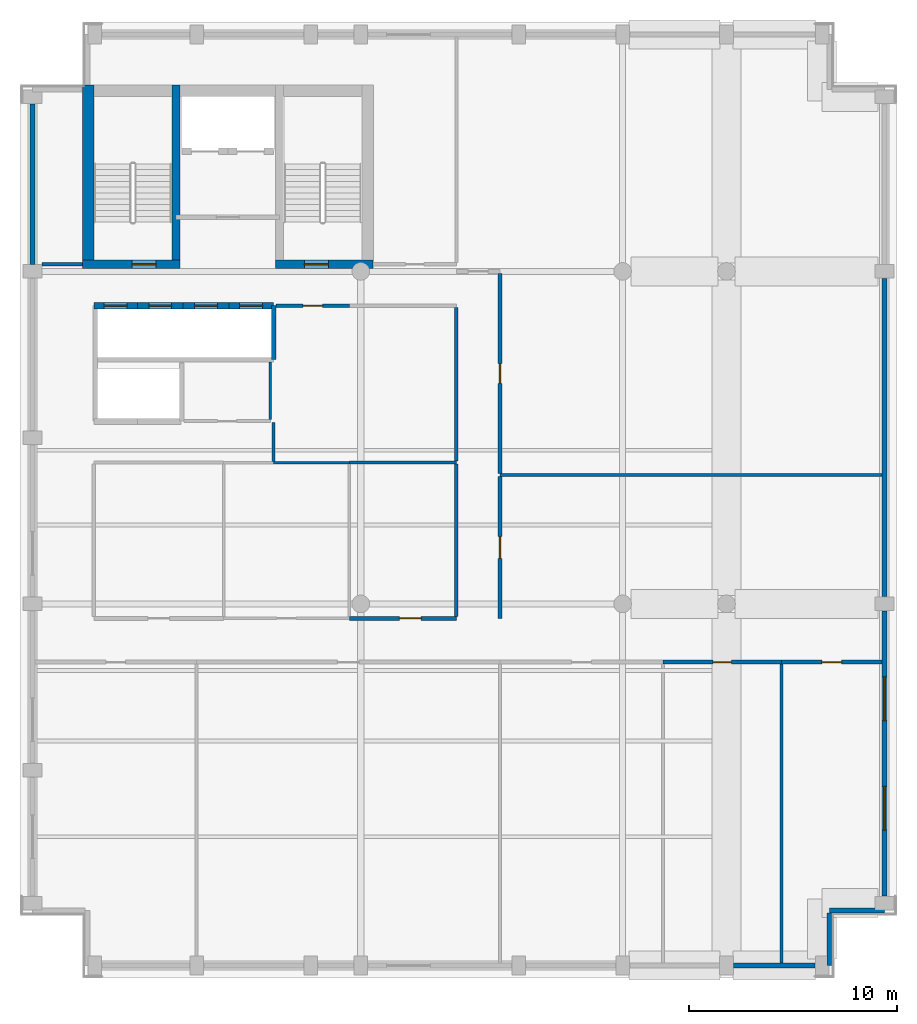
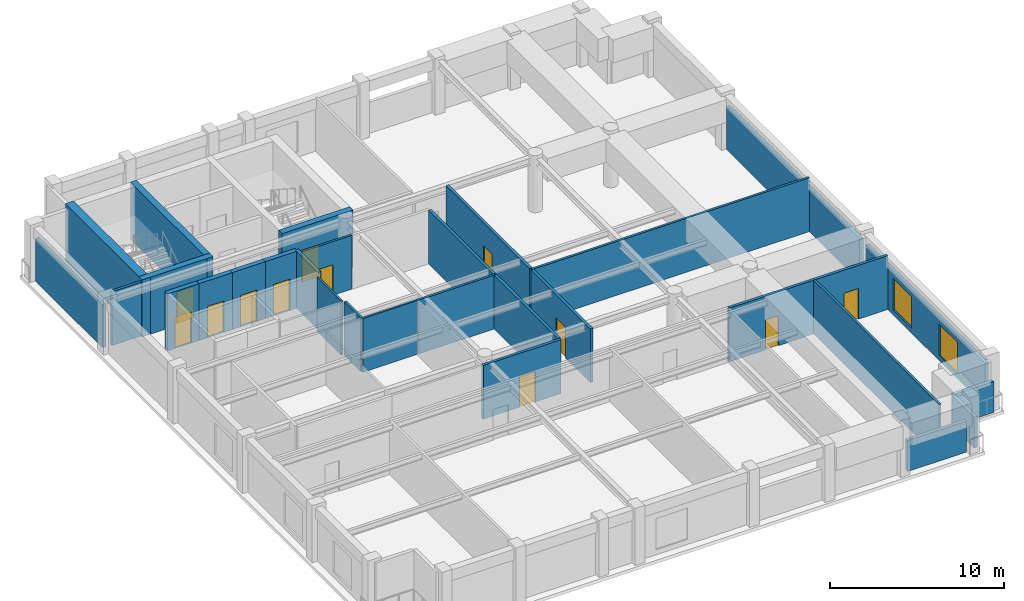
# One storey, part 3 of 7: 30 walls, 12 doors, 2 windows, 14 openings.
"""IFC4 building model written with IfcOpenShell, lengths in metres."""

from ifc_helpers import new_model, si_unit, direction, frame, frame_2d, origin, place, context, subcontext, project, spatial, rectangle, extrude, material, layer, layer_set, type_object, element, fill, save


model = new_model("IFC4")

# Units and contexts
model_context = context("Model", 3, precision=1e-05, world=origin(), true_north=direction((0.0, 1.0)))
body_context = subcontext(model_context, "Body", "Model", "MODEL_VIEW")
ifc_project = project(units=[si_unit("LENGTHUNIT", "METRE"), si_unit("AREAUNIT", "SQUARE_METRE"), si_unit("VOLUMEUNIT", "CUBIC_METRE"), si_unit("PLANEANGLEUNIT", "RADIAN"), si_unit("MASSUNIT", "GRAM", prefix="KILO")], contexts=[model_context])

# Site, building, storey
site_placement = place(None, origin())
site = spatial("IfcSite", under=ifc_project, at=site_placement, CompositionType="ELEMENT")
building_placement = place(site_placement, origin())
building = spatial("IfcBuilding", under=site, at=building_placement, Name="Sulina Concourse Tower", CompositionType="ELEMENT")
storey_placement = place(building_placement, frame((0.0, 0.0, 301.0)))
storey = spatial("IfcBuildingStorey", under=building, at=storey_placement, Name="L73", CompositionType="ELEMENT", Elevation=301.0)

# Wall
ifc_material_1 = material(Name="Concrete C50/60", Category="concrete")
ifc_layer_1 = layer(ifc_material_1, 0.219970703125)
ifc_layer_set_1 = layer_set([ifc_layer_1], Name="Concrete C50/60")
wall_type_1 = type_object("IfcWallType", Name="Core Lift Hoistway Divider Wall 220mm", PredefinedType="SOLIDWALL", material=ifc_layer_set_1)
wall_1_placement = place(storey_placement, frame((12.219970703125, 29.75, 0.0), z_axis=(0.0, 0.0, 1.0), x_axis=(0.0, 1.0, 0.0)))
element("IfcWall", 1, at=wall_1_placement, inside=storey, type_object=wall_type_1, Name="L73 shaft divider wall HW-LP3-E", PredefinedType="SOLIDWALL", context=body_context, shape_type="SweptSolid", body=[
    extrude(rectangle(XDim=2.60009765625, YDim=0.219970703125, at=frame_2d((1.300048828125, 0.0))), origin(), (0.0, 0.0, 1.0), 4.0),
])

# Wall, opening, door
ifc_material_2 = material(Name="Concrete C50/60", Category="concrete")
ifc_layer_2 = layer(ifc_material_2, 0.300048828125)
ifc_layer_set_2 = layer_set([ifc_layer_2], Name="Concrete C50/60")
wall_type_2 = type_object("IfcWallType", Name="Core Lift Hoistway Wall 300mm", PredefinedType="SOLIDWALL", material=ifc_layer_set_2)
wall_2_placement = place(storey_placement, frame((3.550048828125, 32.35009765625, 0.0), z_axis=(0.0, 0.0, 1.0), x_axis=(1.0, 0.0, 0.0)))
wall_2 = element("IfcWall", 2, at=wall_2_placement, inside=storey, type_object=wall_type_2, Name="L73 hoistway enclosure wall LP-09", PredefinedType="SOLIDWALL", context=body_context, shape_type="SweptSolid", body=[
    extrude(rectangle(XDim=2.099853515625, YDim=0.300048828125, at=frame_2d((1.0498046875, 0.0))), origin(), (0.0, 0.0, 1.0), 4.0),
])
opening_1_placement = place(wall_2_placement, frame((0.5, 0.0, 0.0)))
opening_1 = element("IfcOpeningElement", 3, at=opening_1_placement, cuts=wall_2, Name="Opening LD-01", PredefinedType="OPENING", context=body_context, shape_type="SweptSolid", body=[
    extrude(rectangle(XDim=1.10009765625, YDim=2.199951171875, at=frame_2d((0.550048828125, 1.10009765625))), frame((0.0, 0.159912109375, 0.0), z_axis=(0.0, -1.0, 0.0), x_axis=(1.0, 0.0, 0.0)), (0.0, 0.0, 1.0), 0.320068359375),
])
ifc_material_3 = material(Name="Stainless steel lift landing door", Category="steel")
ifc_layer_3 = layer(ifc_material_3, 0.050048828125)
ifc_layer_set_3 = layer_set([ifc_layer_3], Name="Stainless steel lift landing door")
door_type_1 = type_object("IfcDoorType", Name="Passenger Lift Sliding Landing Door 1100x2200", OperationType="SLIDING_TO_LEFT", PredefinedType="DOOR", material=ifc_layer_set_3)
door_1_placement = place(opening_1_placement, origin())
door_1 = element("IfcDoor", 4, at=door_1_placement, inside=storey, type_object=door_type_1, Name="L73 lift landing sliding door LP-09", OperationType="SLIDING_TO_LEFT", OverallHeight=2.199951171875, OverallWidth=1.10009765625, PredefinedType="DOOR", context=body_context, shape_type="SweptSolid", body=[
    extrude(rectangle(XDim=1.10009765625, YDim=2.199951171875, at=frame_2d((0.550048828125, 1.10009765625))), frame((0.0, 0.02490234375, 0.0), z_axis=(0.0, -1.0, 0.0), x_axis=(1.0, 0.0, 0.0)), (0.0, 0.0, 1.0), 0.050048828125),
])
fill(opening_1, door_1)

wall_3_placement = place(storey_placement, frame((5.64990234375, 32.35009765625, 0.0), z_axis=(0.0, 0.0, 1.0), x_axis=(1.0, 0.0, 0.0)))
wall_3 = element("IfcWall", 5, at=wall_3_placement, inside=storey, type_object=wall_type_2, Name="L73 hoistway enclosure wall LP-10", PredefinedType="SOLIDWALL", context=body_context, shape_type="SweptSolid", body=[
    extrude(rectangle(XDim=2.2001953125, YDim=0.300048828125, at=frame_2d((1.10009765625, 0.0))), origin(), (0.0, 0.0, 1.0), 4.0),
])
opening_2_placement = place(wall_3_placement, frame((0.550048828125, 0.0, 0.0)))
opening_2 = element("IfcOpeningElement", 6, at=opening_2_placement, cuts=wall_3, Name="Opening LD-01", PredefinedType="OPENING", context=body_context, shape_type="SweptSolid", body=[
    extrude(rectangle(XDim=1.10009765625, YDim=2.199951171875, at=frame_2d((0.550048828125, 1.10009765625))), frame((0.0, 0.159912109375, 0.0), z_axis=(0.0, -1.0, 0.0), x_axis=(1.0, 0.0, 0.0)), (0.0, 0.0, 1.0), 0.320068359375),
])
door_2_placement = place(opening_2_placement, origin())
door_2 = element("IfcDoor", 7, at=door_2_placement, inside=storey, type_object=door_type_1, Name="L73 lift landing sliding door LP-10", OperationType="SLIDING_TO_RIGHT", OverallHeight=2.199951171875, OverallWidth=1.10009765625, PredefinedType="DOOR", context=body_context, shape_type="SweptSolid", body=[
    extrude(rectangle(XDim=1.10009765625, YDim=2.199951171875, at=frame_2d((0.550048828125, 1.10009765625))), frame((0.0, 0.02490234375, 0.0), z_axis=(0.0, -1.0, 0.0), x_axis=(1.0, 0.0, 0.0)), (0.0, 0.0, 1.0), 0.050048828125),
])
fill(opening_2, door_2)

wall_4_placement = place(storey_placement, frame((7.85009765625, 32.35009765625, 0.0), z_axis=(0.0, 0.0, 1.0), x_axis=(1.0, 0.0, 0.0)))
wall_4 = element("IfcWall", 8, at=wall_4_placement, inside=storey, type_object=wall_type_2, Name="L73 hoistway enclosure wall LP-11", PredefinedType="SOLIDWALL", context=body_context, shape_type="SweptSolid", body=[
    extrude(rectangle(XDim=2.199951171875, YDim=0.300048828125, at=frame_2d((1.10009765625, 0.0))), origin(), (0.0, 0.0, 1.0), 4.0),
])
opening_3_placement = place(wall_4_placement, frame((0.550048828125, 0.0, 0.0)))
opening_3 = element("IfcOpeningElement", 9, at=opening_3_placement, cuts=wall_4, Name="Opening LD-01", PredefinedType="OPENING", context=body_context, shape_type="SweptSolid", body=[
    extrude(rectangle(XDim=1.10009765625, YDim=2.199951171875, at=frame_2d((0.550048828125, 1.10009765625))), frame((0.0, 0.159912109375, 0.0), z_axis=(0.0, -1.0, 0.0), x_axis=(1.0, 0.0, 0.0)), (0.0, 0.0, 1.0), 0.320068359375),
])
door_3_placement = place(opening_3_placement, origin())
door_3 = element("IfcDoor", 10, at=door_3_placement, inside=storey, type_object=door_type_1, Name="L73 lift landing sliding door LP-11", OperationType="SLIDING_TO_LEFT", OverallHeight=2.199951171875, OverallWidth=1.10009765625, PredefinedType="DOOR", context=body_context, shape_type="SweptSolid", body=[
    extrude(rectangle(XDim=1.10009765625, YDim=2.199951171875, at=frame_2d((0.550048828125, 1.10009765625))), frame((0.0, 0.02490234375, 0.0), z_axis=(0.0, -1.0, 0.0), x_axis=(1.0, 0.0, 0.0)), (0.0, 0.0, 1.0), 0.050048828125),
])
fill(opening_3, door_3)

wall_5_placement = place(storey_placement, frame((10.050048828125, 32.35009765625, 0.0), z_axis=(0.0, 0.0, 1.0), x_axis=(1.0, 0.0, 0.0)))
wall_5 = element("IfcWall", 11, at=wall_5_placement, inside=storey, type_object=wall_type_2, Name="L73 hoistway enclosure wall LP-12", PredefinedType="SOLIDWALL", context=body_context, shape_type="SweptSolid", body=[
    extrude(rectangle(XDim=2.14990234375, YDim=0.300048828125, at=frame_2d((1.074951171875, 0.0))), origin(), (0.0, 0.0, 1.0), 4.0),
])
opening_4_placement = place(wall_5_placement, frame((0.52490234375, 0.0, 0.0)))
opening_4 = element("IfcOpeningElement", 12, at=opening_4_placement, cuts=wall_5, Name="Opening LD-01", PredefinedType="OPENING", context=body_context, shape_type="SweptSolid", body=[
    extrude(rectangle(XDim=1.10009765625, YDim=2.199951171875, at=frame_2d((0.550048828125, 1.10009765625))), frame((0.0, 0.159912109375, 0.0), z_axis=(0.0, -1.0, 0.0), x_axis=(1.0, 0.0, 0.0)), (0.0, 0.0, 1.0), 0.320068359375),
])
door_4_placement = place(opening_4_placement, origin())
door_4 = element("IfcDoor", 13, at=door_4_placement, inside=storey, type_object=door_type_1, Name="L73 lift landing sliding door LP-12", OperationType="SLIDING_TO_RIGHT", OverallHeight=2.199951171875, OverallWidth=1.10009765625, PredefinedType="DOOR", context=body_context, shape_type="SweptSolid", body=[
    extrude(rectangle(XDim=1.10009765625, YDim=2.199951171875, at=frame_2d((0.550048828125, 1.10009765625))), frame((0.0, 0.02490234375, 0.0), z_axis=(0.0, -1.0, 0.0), x_axis=(1.0, 0.0, 0.0)), (0.0, 0.0, 1.0), 0.050048828125),
])
fill(opening_4, door_4)

# Walls
ifc_material_4 = material(Name="Precast concrete C50/60", Category="concrete")
ifc_layer_4 = layer(ifc_material_4, 0.239990234375)
ifc_layer_set_4 = layer_set([ifc_layer_4], Name="Precast concrete C50/60")
wall_type_3 = type_object("IfcWallType", Name="Crown Precast Masonry-Frame Facade Wall 240mm", PredefinedType="SOLIDWALL", material=ifc_layer_set_4)
wall_6_placement = place(storey_placement, frame((38.2548828125, 0.60009765625, 0.0), z_axis=(0.0, 0.0, 1.0), x_axis=(-1.0, 0.0, 0.0)))
element("IfcWall", 14, at=wall_6_placement, inside=storey, type_object=wall_type_3, Name="L73 exterior precast wall S7", PredefinedType="SOLIDWALL", context=body_context, shape_type="SweptSolid", body=[
    extrude(rectangle(XDim=3.909912109375, YDim=0.239990234375, at=frame_2d((1.955078125, 0.0))), origin(), (0.0, 0.0, 1.0), 2.1650390625),
])
wall_7_placement = place(storey_placement, frame((0.60009765625, 34.344970703125, 0.0), z_axis=(0.0, 0.0, 1.0), x_axis=(0.0, 1.0, 0.0)))
element("IfcWall", 15, at=wall_7_placement, inside=storey, type_object=wall_type_3, Name="L73 exterior precast wall W5", PredefinedType="SOLIDWALL", context=body_context, shape_type="SweptSolid", body=[
    extrude(rectangle(XDim=7.7099609375, YDim=0.239990234375, at=frame_2d((3.85498046875, 0.0))), origin(), (0.0, 0.0, 1.0), 3.02490234375),
])

# Wall, openings, windows
wall_8_placement = place(storey_placement, frame((41.60009765625, 17.655029296875, 0.0), z_axis=(0.0, 0.0, 1.0), x_axis=(0.0, -1.0, 0.0)))
wall_8 = element("IfcWall", 16, at=wall_8_placement, inside=storey, type_object=wall_type_3, Name="L73 exterior precast wall E1", PredefinedType="SOLIDWALL", context=body_context, shape_type="SweptSolid", body=[
    extrude(rectangle(XDim=13.7099609375, YDim=0.239990234375, at=frame_2d((6.85498046875, 0.0))), origin(), (0.0, 0.0, 1.0), 3.014892578125),
])
opening_5_placement = place(wall_8_placement, frame((3.169921875, 0.0, 0.35009765625)))
opening_5 = element("IfcOpeningElement", 17, at=opening_5_placement, cuts=wall_8, Name="Opening WN-33", PredefinedType="OPENING", context=body_context, shape_type="SweptSolid", body=[
    extrude(rectangle(XDim=2.10009765625, YDim=2.199951171875, at=frame_2d((1.050048828125, 1.10009765625))), frame((0.0, 0.1298828125, 0.0), z_axis=(0.0, -1.0, 0.0), x_axis=(1.0, 0.0, 0.0)), (0.0, 0.0, 1.0), 0.260009765625),
])
opening_6_placement = place(wall_8_placement, frame((8.43994140625, 0.0, 0.35009765625)))
opening_6 = element("IfcOpeningElement", 18, at=opening_6_placement, cuts=wall_8, Name="Opening WN-33", PredefinedType="OPENING", context=body_context, shape_type="SweptSolid", body=[
    extrude(rectangle(XDim=2.10009765625, YDim=2.199951171875, at=frame_2d((1.050048828125, 1.10009765625))), frame((0.0, 0.1298828125, 0.0), z_axis=(0.0, -1.0, 0.0), x_axis=(1.0, 0.0, 0.0)), (0.0, 0.0, 1.0), 0.260009765625),
])
ifc_material_5 = material(Name="Low-E solar double glazing in bronze aluminium", Category="aluminium")
window_type = type_object("IfcWindowType", Name="Punched Masonry-Frame Window 2100x2200", PartitioningType="DOUBLE_PANEL_VERTICAL", PredefinedType="WINDOW", material=ifc_material_5)
window_1_placement = place(opening_5_placement, origin())
window_1 = element("IfcWindow", 19, at=window_1_placement, inside=storey, type_object=window_type, Name="L73 punched window E1-1", OverallHeight=2.199951171875, OverallWidth=2.10009765625, PartitioningType="SINGLE_PANEL", PredefinedType="WINDOW", context=body_context, shape_type="SweptSolid", body=[
    extrude(rectangle(XDim=2.10009765625, YDim=2.199951171875, at=frame_2d((1.050048828125, 1.10009765625))), frame((0.0, 0.030029296875, 0.0), z_axis=(0.0, -1.0, 0.0), x_axis=(1.0, 0.0, 0.0)), (0.0, 0.0, 1.0), 0.06005859375),
])
fill(opening_5, window_1)
window_2_placement = place(opening_6_placement, origin())
window_2 = element("IfcWindow", 20, at=window_2_placement, inside=storey, type_object=window_type, Name="L73 punched window E1-2", OverallHeight=2.199951171875, OverallWidth=2.10009765625, PartitioningType="SINGLE_PANEL", PredefinedType="WINDOW", context=body_context, shape_type="SweptSolid", body=[
    extrude(rectangle(XDim=2.10009765625, YDim=2.199951171875, at=frame_2d((1.050048828125, 1.10009765625))), frame((0.0, 0.030029296875, 0.0), z_axis=(0.0, -1.0, 0.0), x_axis=(1.0, 0.0, 0.0)), (0.0, 0.0, 1.0), 0.06005859375),
])
fill(opening_6, window_2)

# Walls
wall_9_placement = place(storey_placement, frame((41.60009765625, 33.655029296875, 0.0), z_axis=(0.0, 0.0, 1.0), x_axis=(0.0, -1.0, 0.0)))
element("IfcWall", 21, at=wall_9_placement, inside=storey, type_object=wall_type_3, Name="L73 exterior precast wall E2", PredefinedType="SOLIDWALL", context=body_context, shape_type="SweptSolid", body=[
    extrude(rectangle(XDim=15.31005859375, YDim=0.239990234375, at=frame_2d((7.655029296875, 0.0))), origin(), (0.0, 0.0, 1.0), 3.014892578125),
])
wall_10_placement = place(storey_placement, frame((41.60009765625, 3.2548828125, 0.0), z_axis=(0.0, 0.0, 1.0), x_axis=(-1.0, 0.0, 0.0)))
element("IfcWall", 22, at=wall_10_placement, inside=storey, type_object=wall_type_3, Name="L73 exterior precast wall CSE1", PredefinedType="SOLIDWALL", context=body_context, shape_type="SweptSolid", body=[
    extrude(rectangle(XDim=2.655029296875, YDim=0.239990234375, at=frame_2d((1.32763671875, 0.0))), origin(), (0.0, 0.0, 1.0), 2.1650390625),
])
wall_11_placement = place(storey_placement, frame((38.945068359375, 3.1298828125, 0.0), z_axis=(0.0, 0.0, 1.0), x_axis=(0.0, -1.0, 0.0)))
element("IfcWall", 23, at=wall_11_placement, inside=storey, type_object=wall_type_3, Name="L73 exterior precast wall CSE2", PredefinedType="SOLIDWALL", context=body_context, shape_type="SweptSolid", body=[
    extrude(rectangle(XDim=2.52978515625, YDim=0.239990234375, at=frame_2d((1.264892578125, 0.0))), origin(), (0.0, 0.0, 1.0), 2.1650390625),
])
ifc_material_6 = material(Name="Gypsum board on steel stud", Category="steel")
ifc_layer_5 = layer(ifc_material_6, 0.14990234375)
ifc_layer_set_5 = layer_set([ifc_layer_5], Name="Gypsum board on steel stud")
wall_type_4 = type_object("IfcWallType", Name="Inter-Tenancy Acoustic Partition 150mm", PredefinedType="PARTITIONING", material=ifc_layer_set_5)
wall_12_placement = place(storey_placement, frame((23.10009765625, 24.199951171875, 0.0), z_axis=(0.0, 0.0, 1.0), x_axis=(1.0, 0.0, 0.0)))
element("IfcWall", 24, at=wall_12_placement, inside=storey, type_object=wall_type_4, Name="L73 interior partition 009", PredefinedType="PARTITIONING", context=body_context, shape_type="SweptSolid", body=[
    extrude(rectangle(XDim=18.3798828125, YDim=0.14990234375, at=frame_2d((9.18994140625, 0.0))), origin(), (0.0, 0.0, 1.0), 3.77490234375),
])
wall_13_placement = place(storey_placement, frame((15.85009765625, 24.800048828125, 0.0), z_axis=(0.0, 0.0, 1.0), x_axis=(1.0, 0.0, 0.0)))
element("IfcWall", 25, at=wall_13_placement, inside=storey, type_object=wall_type_4, Name="L73 interior partition 013", PredefinedType="PARTITIONING", context=body_context, shape_type="SweptSolid", body=[
    extrude(rectangle(XDim=5.14990234375, YDim=0.14990234375, at=frame_2d((2.574951171875, 0.0))), origin(), (0.0, 0.0, 1.0), 3.77490234375),
])

# Wall, opening, door
wall_14_placement = place(storey_placement, frame((12.330078125, 32.35009765625, 0.0), z_axis=(0.0, 0.0, 1.0), x_axis=(1.0, 0.0, 0.0)))
wall_14 = element("IfcWall", 26, at=wall_14_placement, inside=storey, type_object=wall_type_4, Name="L73 interior partition 015", PredefinedType="PARTITIONING", context=body_context, shape_type="SweptSolid", body=[
    extrude(rectangle(XDim=3.52001953125, YDim=0.14990234375, at=frame_2d((1.760009765625, 0.0))), origin(), (0.0, 0.0, 1.0), 3.77490234375),
])
opening_7_placement = place(wall_14_placement, frame((1.284912109375, 0.0, 0.0)))
opening_7 = element("IfcOpeningElement", 27, at=opening_7_placement, cuts=wall_14, Name="Opening DR-19", PredefinedType="OPENING", context=body_context, shape_type="SweptSolid", body=[
    extrude(rectangle(XDim=0.949951171875, YDim=2.14990234375, at=frame_2d((0.47509765625, 1.074951171875))), frame((0.0, 0.0849609375, 0.0), z_axis=(0.0, -1.0, 0.0), x_axis=(1.0, 0.0, 0.0)), (0.0, 0.0, 1.0), 0.169921875),
])
ifc_material_7 = material(Name="Oak-veneered acoustic timber leaf", Category="wood")
ifc_layer_6 = layer(ifc_material_7, 0.050048828125)
ifc_layer_set_6 = layer_set([ifc_layer_6], Name="Oak-veneered acoustic timber leaf")
door_type_2 = type_object("IfcDoorType", Name="Cellular Office & Meeting Door 950x2150", OperationType="NOTDEFINED", PredefinedType="DOOR", material=ifc_layer_set_6)
door_5_placement = place(opening_7_placement, origin())
door_5 = element("IfcDoor", 28, at=door_5_placement, inside=storey, type_object=door_type_2, Name="L73 interior door L73-MR-MRG1", OperationType="SINGLE_SWING_LEFT", OverallHeight=2.14990234375, OverallWidth=0.949951171875, PredefinedType="DOOR", context=body_context, shape_type="SweptSolid", body=[
    extrude(rectangle(XDim=0.949951171875, YDim=2.14990234375, at=frame_2d((0.47509765625, 1.074951171875))), frame((0.0, 0.02490234375, 0.0), z_axis=(0.0, -1.0, 0.0), x_axis=(1.0, 0.0, 0.0)), (0.0, 0.0, 1.0), 0.050048828125),
])
fill(opening_7, door_5)

# Walls
wall_15_placement = place(storey_placement, frame((12.199951171875, 24.862548828125, 0.0), z_axis=(0.0, 0.0, 1.0), x_axis=(0.0, 1.0, 0.0)))
element("IfcWall", 29, at=wall_15_placement, inside=storey, type_object=wall_type_4, Name="L73 interior partition 024", PredefinedType="PARTITIONING", context=body_context, shape_type="SweptSolid", body=[
    extrude(rectangle(XDim=1.875, YDim=0.14990234375, at=frame_2d((0.9375, 0.0))), origin(), (0.0, 0.0, 1.0), 3.77490234375),
])
wall_16_placement = place(storey_placement, frame((36.639892578125, 0.719970703125, 0.0), z_axis=(0.0, 0.0, 1.0), x_axis=(0.0, 1.0, 0.0)))
element("IfcWall", 30, at=wall_16_placement, inside=storey, type_object=wall_type_4, Name="L73 interior partition 033", PredefinedType="PARTITIONING", context=body_context, shape_type="SweptSolid", body=[
    extrude(rectangle(XDim=14.39013671875, YDim=0.14990234375, at=frame_2d((7.195068359375, 0.0))), origin(), (0.0, 0.0, 1.0), 3.77490234375),
])

# Wall, opening, door
ifc_material_8 = material(Name="Gypsum board on steel stud", Category="steel")
ifc_layer_7 = layer(ifc_material_8, 0.179931640625)
ifc_layer_set_7 = layer_set([ifc_layer_7], Name="Gypsum board on steel stud")
wall_type_5 = type_object("IfcWallType", Name="Protected Corridor & Riser Partition 180mm", PredefinedType="PARTITIONING", material=ifc_layer_set_7)
wall_17_placement = place(storey_placement, frame((30.949951171875, 15.199951171875, 0.0), z_axis=(0.0, 0.0, 1.0), x_axis=(1.0, 0.0, 0.0)))
wall_17 = element("IfcWall", 31, at=wall_17_placement, inside=storey, type_object=wall_type_5, Name="L73 interior partition 004", PredefinedType="PARTITIONING", context=body_context, shape_type="SweptSolid", body=[
    extrude(rectangle(XDim=5.68994140625, YDim=0.179931640625, at=frame_2d((2.844970703125, 0.0))), origin(), (0.0, 0.0, 1.0), 3.77490234375),
])
opening_8_placement = place(wall_17_placement, frame((2.405029296875, 0.0, 0.0)))
opening_8 = element("IfcOpeningElement", 32, at=opening_8_placement, cuts=wall_17, Name="Opening DR-38", PredefinedType="OPENING", context=body_context, shape_type="SweptSolid", body=[
    extrude(rectangle(XDim=0.8798828125, YDim=2.10009765625, at=frame_2d((0.43994140625, 1.050048828125))), frame((0.0, 0.099853515625, 0.0), z_axis=(0.0, -1.0, 0.0), x_axis=(1.0, 0.0, 0.0)), (0.0, 0.0, 1.0), 0.199951171875),
])
ifc_material_9 = material(Name="Galvanised steel acoustic fire leaf", Category="steel")
ifc_layer_8 = layer(ifc_material_9, 0.050048828125)
ifc_layer_set_8 = layer_set([ifc_layer_8], Name="Galvanised steel acoustic fire leaf")
door_type_3 = type_object("IfcDoorType", Name="Service Riser Fire Door 880x2100", OperationType="NOTDEFINED", PredefinedType="DOOR", material=ifc_layer_set_8)
door_6_placement = place(opening_8_placement, origin())
door_6 = element("IfcDoor", 33, at=door_6_placement, inside=storey, type_object=door_type_3, Name="L73 interior door L73-S03B", OperationType="SINGLE_SWING_LEFT", OverallHeight=2.10009765625, OverallWidth=0.8798828125, PredefinedType="DOOR", context=body_context, shape_type="SweptSolid", body=[
    extrude(rectangle(XDim=0.8798828125, YDim=2.10009765625, at=frame_2d((0.43994140625, 1.050048828125))), frame((0.0, 0.02490234375, 0.0), z_axis=(0.0, -1.0, 0.0), x_axis=(1.0, 0.0, 0.0)), (0.0, 0.0, 1.0), 0.050048828125),
])
fill(opening_8, door_6)

wall_18_placement = place(storey_placement, frame((36.639892578125, 15.199951171875, 0.0), z_axis=(0.0, 0.0, 1.0), x_axis=(1.0, 0.0, 0.0)))
wall_18 = element("IfcWall", 34, at=wall_18_placement, inside=storey, type_object=wall_type_5, Name="L73 interior partition 005", PredefinedType="PARTITIONING", context=body_context, shape_type="SweptSolid", body=[
    extrude(rectangle(XDim=4.840087890625, YDim=0.179931640625, at=frame_2d((2.419921875, 0.0))), origin(), (0.0, 0.0, 1.0), 3.77490234375),
])
opening_9_placement = place(wall_18_placement, frame((1.945068359375, 0.0, 0.0)))
opening_9 = element("IfcOpeningElement", 35, at=opening_9_placement, cuts=wall_18, Name="Opening DR-19", PredefinedType="OPENING", context=body_context, shape_type="SweptSolid", body=[
    extrude(rectangle(XDim=0.949951171875, YDim=2.14990234375, at=frame_2d((0.47509765625, 1.074951171875))), frame((0.0, 0.099853515625, 0.0), z_axis=(0.0, -1.0, 0.0), x_axis=(1.0, 0.0, 0.0)), (0.0, 0.0, 1.0), 0.199951171875),
])
door_7_placement = place(opening_9_placement, origin())
door_7 = element("IfcDoor", 36, at=door_7_placement, inside=storey, type_object=door_type_2, Name="L73 interior door L73-S04", OperationType="SINGLE_SWING_RIGHT", OverallHeight=2.14990234375, OverallWidth=0.949951171875, PredefinedType="DOOR", context=body_context, shape_type="SweptSolid", body=[
    extrude(rectangle(XDim=0.949951171875, YDim=2.14990234375, at=frame_2d((0.47509765625, 1.074951171875))), frame((0.0, 0.02490234375, 0.0), z_axis=(0.0, -1.0, 0.0), x_axis=(1.0, 0.0, 0.0)), (0.0, 0.0, 1.0), 0.050048828125),
])
fill(opening_9, door_7)

wall_19_placement = place(storey_placement, frame((15.85009765625, 17.300048828125, 0.0), z_axis=(0.0, 0.0, 1.0), x_axis=(1.0, 0.0, 0.0)))
wall_19 = element("IfcWall", 37, at=wall_19_placement, inside=storey, type_object=wall_type_5, Name="L73 interior partition 008", PredefinedType="PARTITIONING", context=body_context, shape_type="SweptSolid", body=[
    extrude(rectangle(XDim=5.14990234375, YDim=0.179931640625, at=frame_2d((2.574951171875, 0.0))), origin(), (0.0, 0.0, 1.0), 3.77490234375),
])
opening_10_placement = place(wall_19_placement, frame((2.409912109375, 0.0, 0.0)))
opening_10 = element("IfcOpeningElement", 38, at=opening_10_placement, cuts=wall_19, Name="Opening DR-37", PredefinedType="OPENING", context=body_context, shape_type="SweptSolid", body=[
    extrude(rectangle(XDim=1.050048828125, YDim=2.14990234375, at=frame_2d((0.52490234375, 1.074951171875))), frame((0.0, 0.099853515625, 0.0), z_axis=(0.0, -1.0, 0.0), x_axis=(1.0, 0.0, 0.0)), (0.0, 0.0, 1.0), 0.199951171875),
])
ifc_material_10 = material(Name="Oak-veneered fire door leaf")
ifc_layer_9 = layer(ifc_material_10, 0.050048828125)
ifc_layer_set_9 = layer_set([ifc_layer_9], Name="Oak-veneered fire door leaf")
door_type_4 = type_object("IfcDoorType", Name="Tenant Suite Entrance Fire Door 1050x2150", OperationType="NOTDEFINED", PredefinedType="DOOR", material=ifc_layer_set_9)
door_8_placement = place(opening_10_placement, origin())
door_8 = element("IfcDoor", 39, at=door_8_placement, inside=storey, type_object=door_type_4, Name="L73 interior door L73-CR-PKW", OperationType="SINGLE_SWING_LEFT", OverallHeight=2.14990234375, OverallWidth=1.050048828125, PredefinedType="DOOR", context=body_context, shape_type="SweptSolid", body=[
    extrude(rectangle(XDim=1.050048828125, YDim=2.14990234375, at=frame_2d((0.52490234375, 1.074951171875))), frame((0.0, 0.02490234375, 0.0), z_axis=(0.0, -1.0, 0.0), x_axis=(1.0, 0.0, 0.0)), (0.0, 0.0, 1.0), 0.050048828125),
])
fill(opening_10, door_8)

# Walls
wall_20_placement = place(storey_placement, frame((1.050048828125, 34.35009765625, 0.0), z_axis=(0.0, 0.0, 1.0), x_axis=(1.0, 0.0, 0.0)))
element("IfcWall", 40, at=wall_20_placement, inside=storey, type_object=wall_type_5, Name="L73 interior partition 018", PredefinedType="PARTITIONING", context=body_context, shape_type="SweptSolid", body=[
    extrude(rectangle(XDim=1.949951171875, YDim=0.179931640625, at=frame_2d((0.97509765625, 0.0))), origin(), (0.0, 0.0, 1.0), 3.77490234375),
])
wall_21_placement = place(storey_placement, frame((21.0, 17.389892578125, 0.0), z_axis=(0.0, 0.0, 1.0), x_axis=(0.0, 1.0, 0.0)))
element("IfcWall", 41, at=wall_21_placement, inside=storey, type_object=wall_type_5, Name="L73 interior partition 026", PredefinedType="PARTITIONING", context=body_context, shape_type="SweptSolid", body=[
    extrude(rectangle(XDim=7.335205078125, YDim=0.179931640625, at=frame_2d((3.66748046875, 0.0))), origin(), (0.0, 0.0, 1.0), 3.77490234375),
])
wall_22_placement = place(storey_placement, frame((21.0, 24.875, 0.0), z_axis=(0.0, 0.0, 1.0), x_axis=(0.0, 1.0, 0.0)))
element("IfcWall", 42, at=wall_22_placement, inside=storey, type_object=wall_type_5, Name="L73 interior partition 027", PredefinedType="PARTITIONING", context=body_context, shape_type="SweptSolid", body=[
    extrude(rectangle(XDim=7.385009765625, YDim=0.179931640625, at=frame_2d((3.6923828125, 0.0))), origin(), (0.0, 0.0, 1.0), 3.77490234375),
])

# Wall, opening, door
wall_23_placement = place(storey_placement, frame((23.10009765625, 17.300048828125, 0.0), z_axis=(0.0, 0.0, 1.0), x_axis=(0.0, 1.0, 0.0)))
wall_23 = element("IfcWall", 43, at=wall_23_placement, inside=storey, type_object=wall_type_5, Name="L73 interior partition 030", PredefinedType="PARTITIONING", context=body_context, shape_type="SweptSolid", body=[
    extrude(rectangle(XDim=6.824951171875, YDim=0.179931640625, at=frame_2d((3.41259765625, 0.0))), origin(), (0.0, 0.0, 1.0), 3.77490234375),
])
opening_11_placement = place(wall_23_placement, frame((2.887451171875, 0.0, 0.0)))
opening_11 = element("IfcOpeningElement", 44, at=opening_11_placement, cuts=wall_23, Name="Opening DR-37", PredefinedType="OPENING", context=body_context, shape_type="SweptSolid", body=[
    extrude(rectangle(XDim=1.050048828125, YDim=2.14990234375, at=frame_2d((0.52490234375, 1.074951171875))), frame((0.0, 0.099853515625, 0.0), z_axis=(0.0, -1.0, 0.0), x_axis=(1.0, 0.0, 0.0)), (0.0, 0.0, 1.0), 0.199951171875),
])
door_9_placement = place(opening_11_placement, origin())
door_9 = element("IfcDoor", 45, at=door_9_placement, inside=storey, type_object=door_type_4, Name="L73 interior door L73-CR-E1", OperationType="SINGLE_SWING_RIGHT", OverallHeight=2.14990234375, OverallWidth=1.050048828125, PredefinedType="DOOR", context=body_context, shape_type="SweptSolid", body=[
    extrude(rectangle(XDim=1.050048828125, YDim=2.14990234375, at=frame_2d((0.52490234375, 1.074951171875))), frame((0.0, 0.02490234375, 0.0), z_axis=(0.0, -1.0, 0.0), x_axis=(1.0, 0.0, 0.0)), (0.0, 0.0, 1.0), 0.050048828125),
])
fill(opening_11, door_9)

wall_24_placement = place(storey_placement, frame((23.10009765625, 24.27490234375, 0.0), z_axis=(0.0, 0.0, 1.0), x_axis=(0.0, 1.0, 0.0)))
wall_24 = element("IfcWall", 46, at=wall_24_placement, inside=storey, type_object=wall_type_5, Name="L73 interior partition 031", PredefinedType="PARTITIONING", context=body_context, shape_type="SweptSolid", body=[
    extrude(rectangle(XDim=9.635009765625, YDim=0.179931640625, at=frame_2d((4.8173828125, 0.0))), origin(), (0.0, 0.0, 1.0), 3.77490234375),
])
opening_12_placement = place(wall_24_placement, frame((4.342529296875, 0.0, 0.0)))
opening_12 = element("IfcOpeningElement", 47, at=opening_12_placement, cuts=wall_24, Name="Opening DR-19", PredefinedType="OPENING", context=body_context, shape_type="SweptSolid", body=[
    extrude(rectangle(XDim=0.949951171875, YDim=2.14990234375, at=frame_2d((0.47509765625, 1.074951171875))), frame((0.0, 0.099853515625, 0.0), z_axis=(0.0, -1.0, 0.0), x_axis=(1.0, 0.0, 0.0)), (0.0, 0.0, 1.0), 0.199951171875),
])
door_10_placement = place(opening_12_placement, origin())
door_10 = element("IfcDoor", 48, at=door_10_placement, inside=storey, type_object=door_type_2, Name="L73 interior door L73-CR-E2", OperationType="SINGLE_SWING_LEFT", OverallHeight=2.14990234375, OverallWidth=0.949951171875, PredefinedType="DOOR", context=body_context, shape_type="SweptSolid", body=[
    extrude(rectangle(XDim=0.949951171875, YDim=2.14990234375, at=frame_2d((0.47509765625, 1.074951171875))), frame((0.0, 0.02490234375, 0.0), z_axis=(0.0, -1.0, 0.0), x_axis=(1.0, 0.0, 0.0)), (0.0, 0.0, 1.0), 0.050048828125),
])
fill(opening_12, door_10)

ifc_material_11 = material(Name="Concrete C60/75", Category="concrete")
ifc_layer_10 = layer(ifc_material_11, 0.39990234375)
ifc_layer_set_10 = layer_set([ifc_layer_10], Name="Concrete C60/75")
wall_type_6 = type_object("IfcWallType", Name="Protected Stair Core Shear Wall 400mm", PredefinedType="SHEAR", material=ifc_layer_set_10)
wall_25_placement = place(storey_placement, frame((3.0, 34.35009765625, 0.0), z_axis=(0.0, 0.0, 1.0), x_axis=(1.0, 0.0, 0.0)))
wall_25 = element("IfcWall", 49, at=wall_25_placement, inside=storey, type_object=wall_type_6, Name="L73 west core shear wall CW-WS1", PredefinedType="SHEAR", context=body_context, shape_type="SweptSolid", body=[
    extrude(rectangle(XDim=4.7099609375, YDim=0.39990234375, at=frame_2d((2.35498046875, 0.0))), origin(), (0.0, 0.0, 1.0), 4.0),
])
opening_13_placement = place(wall_25_placement, frame((2.39990234375, 0.0, 0.0)))
opening_13 = element("IfcOpeningElement", 50, at=opening_13_placement, cuts=wall_25, Name="Opening DR-60", PredefinedType="OPENING", context=body_context, shape_type="SweptSolid", body=[
    extrude(rectangle(XDim=1.14990234375, YDim=2.199951171875, at=frame_2d((0.574951171875, 1.10009765625))), frame((0.0, 0.2099609375, 0.0), z_axis=(0.0, -1.0, 0.0), x_axis=(1.0, 0.0, 0.0)), (0.0, 0.0, 1.0), 0.419921875),
])
ifc_material_12 = material(Name="Galvanised steel acoustic fire leaf", Category="steel")
ifc_layer_11 = layer(ifc_material_12, 0.054931640625)
ifc_layer_set_11 = layer_set([ifc_layer_11], Name="Galvanised steel acoustic fire leaf")
door_type_5 = type_object("IfcDoorType", Name="Protected Exit Stair Fire Door 1150x2200", OperationType="NOTDEFINED", PredefinedType="DOOR", material=ifc_layer_set_11)
door_11_placement = place(opening_13_placement, origin())
door_11 = element("IfcDoor", 51, at=door_11_placement, inside=storey, type_object=door_type_5, Name="L73 stair ST-1 lobby fire door", OperationType="SINGLE_SWING_RIGHT", OverallHeight=2.199951171875, OverallWidth=1.14990234375, PredefinedType="DOOR", context=body_context, shape_type="SweptSolid", body=[
    extrude(rectangle(XDim=1.14990234375, YDim=2.199951171875, at=frame_2d((0.574951171875, 1.10009765625))), frame((0.0, 0.02490234375, 0.0), z_axis=(0.0, -1.0, 0.0), x_axis=(1.0, 0.0, 0.0)), (0.0, 0.0, 1.0), 0.050048828125),
])
fill(opening_13, door_11)

wall_26_placement = place(storey_placement, frame((12.2900390625, 34.35009765625, 0.0), z_axis=(0.0, 0.0, 1.0), x_axis=(1.0, 0.0, 0.0)))
wall_26 = element("IfcWall", 52, at=wall_26_placement, inside=storey, type_object=wall_type_6, Name="L73 west core shear wall CW-WS2", PredefinedType="SHEAR", context=body_context, shape_type="SweptSolid", body=[
    extrude(rectangle(XDim=4.7099609375, YDim=0.39990234375, at=frame_2d((2.35498046875, 0.0))), origin(), (0.0, 0.0, 1.0), 4.0),
])
opening_14_placement = place(wall_26_placement, frame((1.39990234375, 0.0, 0.0)))
opening_14 = element("IfcOpeningElement", 53, at=opening_14_placement, cuts=wall_26, Name="Opening DR-60", PredefinedType="OPENING", context=body_context, shape_type="SweptSolid", body=[
    extrude(rectangle(XDim=1.14990234375, YDim=2.199951171875, at=frame_2d((0.574951171875, 1.10009765625))), frame((0.0, 0.2099609375, 0.0), z_axis=(0.0, -1.0, 0.0), x_axis=(1.0, 0.0, 0.0)), (0.0, 0.0, 1.0), 0.419921875),
])
door_12_placement = place(opening_14_placement, origin())
door_12 = element("IfcDoor", 54, at=door_12_placement, inside=storey, type_object=door_type_5, Name="L73 stair ST-2 lobby fire door", OperationType="SINGLE_SWING_LEFT", OverallHeight=2.199951171875, OverallWidth=1.14990234375, PredefinedType="DOOR", context=body_context, shape_type="SweptSolid", body=[
    extrude(rectangle(XDim=1.14990234375, YDim=2.199951171875, at=frame_2d((0.574951171875, 1.10009765625))), frame((0.0, 0.02490234375, 0.0), z_axis=(0.0, -1.0, 0.0), x_axis=(1.0, 0.0, 0.0)), (0.0, 0.0, 1.0), 0.050048828125),
])
fill(opening_14, door_12)

# Walls
wall_27_placement = place(storey_placement, frame((7.510009765625, 34.14990234375, 0.0), z_axis=(0.0, 0.0, 1.0), x_axis=(0.0, 1.0, 0.0)))
element("IfcWall", 55, at=wall_27_placement, inside=storey, type_object=wall_type_6, Name="L73 west core shear wall SW-ST1", PredefinedType="SHEAR", context=body_context, shape_type="SweptSolid", body=[
    extrude(rectangle(XDim=8.830078125, YDim=0.39990234375, at=frame_2d((4.4150390625, 0.0))), origin(), (0.0, 0.0, 1.0), 4.0),
])
ifc_material_13 = material(Name="Concrete C50/60", Category="concrete")
ifc_layer_12 = layer(ifc_material_13, 0.550048828125)
ifc_layer_set_12 = layer_set([ifc_layer_12], Name="Concrete C50/60")
wall_type_7 = type_object("IfcWallType", Name="Upper Core Shear Wall 550mm", PredefinedType="SHEAR", material=ifc_layer_set_12)
wall_28_placement = place(storey_placement, frame((3.27490234375, 34.14990234375, 0.0), z_axis=(0.0, 0.0, 1.0), x_axis=(0.0, 1.0, 0.0)))
element("IfcWall", 56, at=wall_28_placement, inside=storey, type_object=wall_type_7, Name="L73 west core shear wall CW-WW", PredefinedType="SHEAR", context=body_context, shape_type="SweptSolid", body=[
    extrude(rectangle(XDim=8.830078125, YDim=0.550048828125, at=frame_2d((4.4150390625, 0.0))), origin(), (0.0, 0.0, 1.0), 4.0),
])
ifc_material_14 = material(Name="Gypsum board on steel stud", Category="steel")
ifc_layer_13 = layer(ifc_material_14, 0.125)
ifc_layer_set_13 = layer_set([ifc_layer_13], Name="Gypsum board on steel stud")
wall_type_8 = type_object("IfcWallType", Name="Wet-Area Moisture-Resistant Partition 125mm", PredefinedType="PARTITIONING", material=ifc_layer_set_13)
wall_29_placement = place(storey_placement, frame((12.199951171875, 24.800048828125, 0.0), z_axis=(0.0, 0.0, 1.0), x_axis=(1.0, 0.0, 0.0)))
element("IfcWall", 57, at=wall_29_placement, inside=storey, type_object=wall_type_8, Name="L73 interior partition 012", PredefinedType="PARTITIONING", context=body_context, shape_type="SweptSolid", body=[
    extrude(rectangle(XDim=3.650146484375, YDim=0.125, at=frame_2d((1.8251953125, 0.0))), origin(), (0.0, 0.0, 1.0), 3.77490234375),
])
wall_30_placement = place(storey_placement, frame((12.050048828125, 26.862548828125, 0.0), z_axis=(0.0, 0.0, 1.0), x_axis=(0.0, 1.0, 0.0)))
element("IfcWall", 58, at=wall_30_placement, inside=storey, type_object=wall_type_8, Name="L73 interior partition 023", PredefinedType="PARTITIONING", context=body_context, shape_type="SweptSolid", body=[
    extrude(rectangle(XDim=2.77734375, YDim=0.125, at=frame_2d((1.388671875, 0.0))), origin(), (0.0, 0.0, 1.0), 3.77490234375),
])

save(model, "model.ifc")
